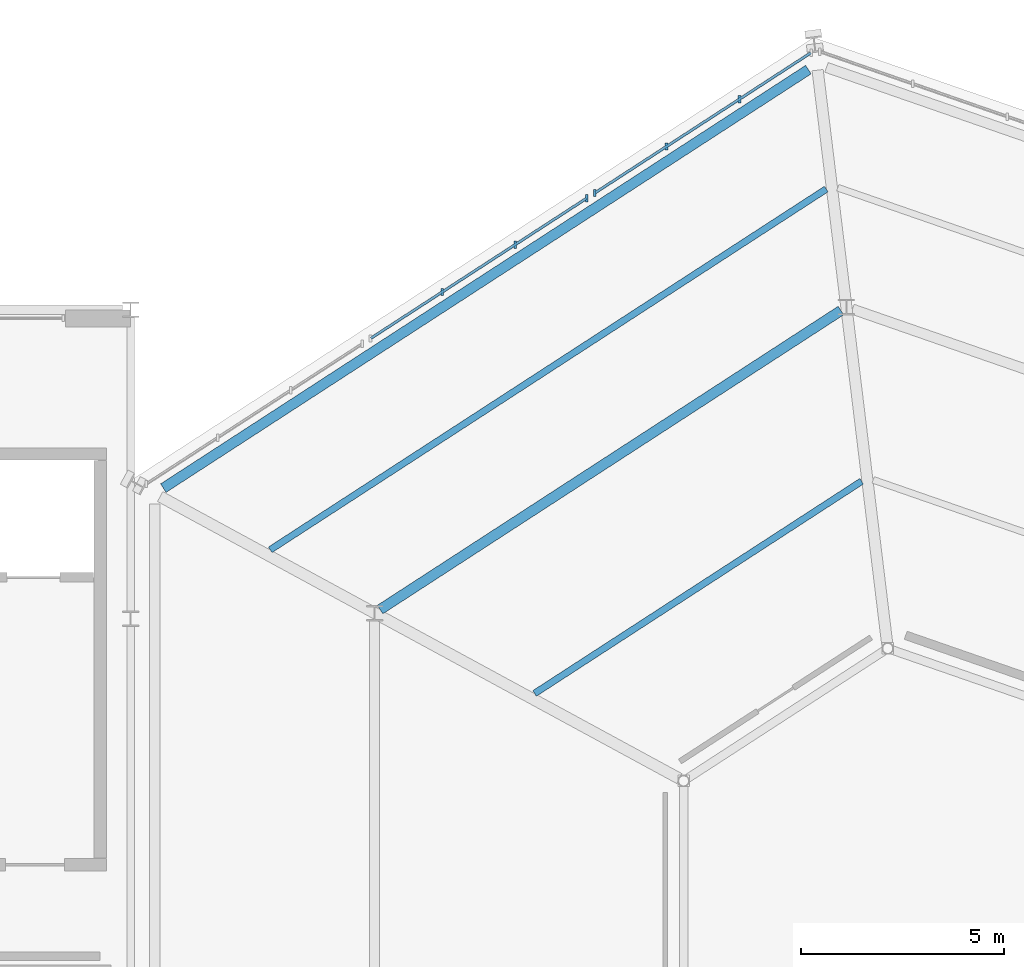
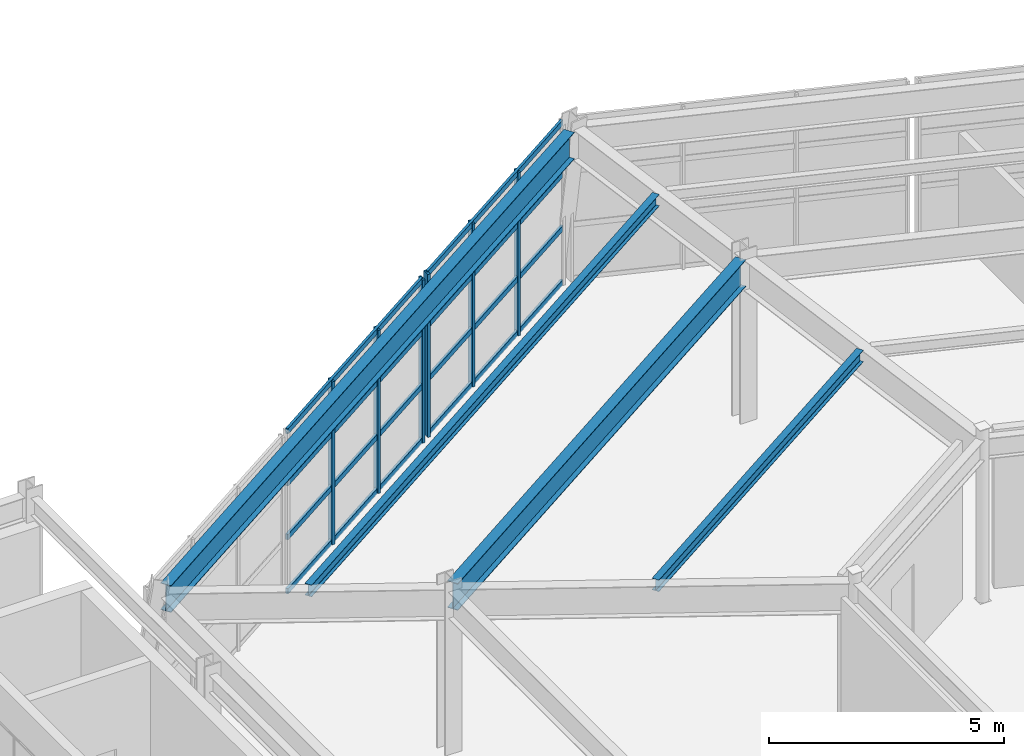
# One storey, part 39 of 77: 14 members, 4 beams, 2 elements without a shape of their own.
"""IFC4 building model written with IfcOpenShell, lengths in metres."""

from ifc_helpers import new_model, si_unit, direction, frame, origin, origin_2d, place, context, subcontext, project, spatial, rectangle, i_section, extrude, material, material_profile, profile_set, type_object, element, aggregate, save


model = new_model("IFC4")

# Units and contexts
model_context = context("Model", 3, precision=1e-05, world=origin(), true_north=direction((0.0, 1.0)))
body_context = subcontext(model_context, "Body", "Model", "MODEL_VIEW")
ifc_project = project(units=[si_unit("LENGTHUNIT", "METRE"), si_unit("AREAUNIT", "SQUARE_METRE"), si_unit("VOLUMEUNIT", "CUBIC_METRE"), si_unit("PLANEANGLEUNIT", "RADIAN"), si_unit("MASSUNIT", "GRAM", prefix="KILO")], contexts=[model_context])

# Site, building, storey
site_placement = place(None, origin())
site = spatial("IfcSite", under=ifc_project, at=site_placement, CompositionType="ELEMENT")
building_placement = place(site_placement, origin())
building = spatial("IfcBuilding", under=site, at=building_placement, Name="Sarnbrook Museum", CompositionType="ELEMENT")
storey_placement = place(building_placement, frame((0.0, 0.0, 5.60009765625)))
storey = spatial("IfcBuildingStorey", under=building, at=storey_placement, Name="L01", CompositionType="ELEMENT", Elevation=5.60009765625)

# Beams
ifc_material_1 = material(Name="Structural Steel Grade 350L0 (AS/NZS 3678, fy = 340 MPa for 20 < t <= 40 mm)", Category="steel")
ifc_material_profile_1 = material_profile(ifc_material_1, i_section(OverallWidth=0.25, OverallDepth=0.699951171875, WebThickness=0.010009765625, FlangeThickness=0.01611328125, at=origin_2d()), Name="700WB130")
ifc_profile_set_1 = profile_set([ifc_material_profile_1], Name="Structural Steel Grade 350L0 (AS/NZS 3678, fy = 340 MPa for 20 < t <= 40 mm)")
beam_type_1 = type_object("IfcBeamType", Name="BM-WB700", PredefinedType="BEAM", material=ifc_profile_set_1)
beam_1_placement = place(storey_placement, frame((135.86962890625, 114.30908203125, 3.889892578125), z_axis=(-0.838906015454, -0.544276305966, 0.0), x_axis=(0.544276305966, -0.838906015454, 0.0)))
element("IfcBeam", 1, at=beam_1_placement, inside=storey, type_object=beam_type_1, Name="Crystal Hall Perimeter Ring Girder 6 L01", PredefinedType="BEAM", context=body_context, shape_type="SweptSolid", body=[
    extrude(i_section(OverallWidth=0.25, OverallDepth=0.699951171875, WebThickness=0.010009765625, FlangeThickness=0.01611328125, at=origin_2d()), origin(), (0.0, 0.0, 1.0), 18.91455078125),
])
beam_2_placement = place(storey_placement, frame((136.669921875, 108.38232421875, 3.889892578125), z_axis=(-0.838898634594, -0.544287682091, 0.0), x_axis=(0.544287682091, -0.838898634594, 0.0)))
element("IfcBeam", 2, at=beam_2_placement, inside=storey, type_object=beam_type_1, Name="Crystal Hall R1 Ring Girder 6 L01", PredefinedType="BEAM", context=body_context, shape_type="SweptSolid", body=[
    extrude(i_section(OverallWidth=0.25, OverallDepth=0.699951171875, WebThickness=0.010009765625, FlangeThickness=0.01611328125, at=origin_2d()), origin(), (0.0, 0.0, 1.0), 13.5126953125),
])

# Curtain wall, members
ifc_material_2 = material(Name="Thermally Broken Anodised Aluminium 6063-T6", Category="aluminium")
curtain_wall_type = type_object("IfcCurtainWallType", Name="CurtainWall_CrystalFacet", PredefinedType="NOTDEFINED", material=ifc_material_2)
curtain_wall_1_placement = place(storey_placement, origin())
curtain_wall_1 = element("IfcCurtainWall", 3, at=curtain_wall_1_placement, inside=storey, type_object=curtain_wall_type, Name="Crystal Hall Facet Curtain Wall L01-F6.1", PredefinedType="NOTDEFINED")
ifc_material_profile_2 = material_profile(ifc_material_2, rectangle(XDim=0.06494140625, YDim=0.179931640625, at=origin_2d()), Name="ALU MULLION 65x180")
ifc_profile_set_2 = profile_set([ifc_material_profile_2], Name="Thermally Broken Anodised Aluminium 6063-T6")
member_type_1 = type_object("IfcMemberType", Name="CW_Mullion_180x75", PredefinedType="MULLION", material=ifc_profile_set_2)
member_1_placement = place(storey_placement, frame((134.17529296875, 113.58349609375, 0.0), z_axis=(0.0, 0.0, 1.0), x_axis=(1.0, 0.0, 0.0)))
member_1 = element("IfcMember", 4, at=member_1_placement, type_object=member_type_1, Name="Crystal Hall Facet Curtain Wall L01-F6.1 Mullion 2", PredefinedType="MULLION", context=body_context, shape_type="SweptSolid", body=[
    extrude(rectangle(XDim=0.06494140625, YDim=0.179931640625, at=origin_2d()), origin(), (0.0, 0.0, 1.0), 4.239990234375),
])
member_2_placement = place(storey_placement, frame((132.380126953125, 112.418701171875, 0.0), z_axis=(0.0, 0.0, 1.0), x_axis=(1.0, 0.0, 0.0)))
member_2 = element("IfcMember", 5, at=member_2_placement, type_object=member_type_1, Name="Crystal Hall Facet Curtain Wall L01-F6.1 Mullion 3", PredefinedType="MULLION", context=body_context, shape_type="SweptSolid", body=[
    extrude(rectangle(XDim=0.06494140625, YDim=0.179931640625, at=origin_2d()), origin(), (0.0, 0.0, 1.0), 4.239990234375),
])
member_3_placement = place(storey_placement, frame((130.61865234375, 111.27587890625, 0.0), z_axis=(0.0, 0.0, 1.0), x_axis=(1.0, 0.0, 0.0)))
member_3 = element("IfcMember", 6, at=member_3_placement, type_object=member_type_1, Name="Crystal Hall Facet Curtain Wall L01-F6.1 Mullion 4", PredefinedType="MULLION", context=body_context, shape_type="SweptSolid", body=[
    extrude(rectangle(XDim=0.06494140625, YDim=0.179931640625, at=origin_2d()), origin(), (0.0, 0.0, 1.0), 4.239990234375),
])

curtain_wall_2_placement = place(storey_placement, origin())
curtain_wall_2 = element("IfcCurtainWall", 7, at=curtain_wall_2_placement, inside=storey, type_object=curtain_wall_type, Name="Crystal Hall Facet Curtain Wall L01-F6.2", PredefinedType="NOTDEFINED")
member_4_placement = place(storey_placement, frame((130.417236328125, 111.145263671875, 0.0), z_axis=(0.0, 0.0, 1.0), x_axis=(1.0, 0.0, 0.0)))
member_4 = element("IfcMember", 8, at=member_4_placement, type_object=member_type_1, Name="Crystal Hall Facet Curtain Wall L01-F6.2 Mullion 1", PredefinedType="MULLION", context=body_context, shape_type="SweptSolid", body=[
    extrude(rectangle(XDim=0.06494140625, YDim=0.179931640625, at=origin_2d()), origin(), (0.0, 0.0, 1.0), 4.239990234375),
])
member_5_placement = place(storey_placement, frame((128.65576171875, 110.002197265625, 0.0), z_axis=(0.0, 0.0, 1.0), x_axis=(1.0, 0.0, 0.0)))
member_5 = element("IfcMember", 9, at=member_5_placement, type_object=member_type_1, Name="Crystal Hall Facet Curtain Wall L01-F6.2 Mullion 2", PredefinedType="MULLION", context=body_context, shape_type="SweptSolid", body=[
    extrude(rectangle(XDim=0.06494140625, YDim=0.179931640625, at=origin_2d()), origin(), (0.0, 0.0, 1.0), 4.239990234375),
])
member_6_placement = place(storey_placement, frame((126.860595703125, 108.837646484375, 0.0), z_axis=(0.0, 0.0, 1.0), x_axis=(1.0, 0.0, 0.0)))
member_6 = element("IfcMember", 10, at=member_6_placement, type_object=member_type_1, Name="Crystal Hall Facet Curtain Wall L01-F6.2 Mullion 3", PredefinedType="MULLION", context=body_context, shape_type="SweptSolid", body=[
    extrude(rectangle(XDim=0.06494140625, YDim=0.179931640625, at=origin_2d()), origin(), (0.0, 0.0, 1.0), 4.239990234375),
])

# Member
ifc_material_profile_3 = material_profile(ifc_material_2, rectangle(XDim=0.06494140625, YDim=0.139892578125, at=origin_2d()), Name="ALU TRANSOM 65x140")
ifc_profile_set_3 = profile_set([ifc_material_profile_3], Name="Thermally Broken Anodised Aluminium 6063-T6")
member_type_2 = type_object("IfcMemberType", Name="CW_Transom_150x65", PredefinedType="USERDEFINED", material=ifc_profile_set_3)
member_7_placement = place(storey_placement, frame((135.92822265625, 114.720703125, 0.039794921875), z_axis=(-0.838904075895, -0.544279295441, 0.0), x_axis=(0.544279295441, -0.838904075895, 0.0)))
member_7 = element("IfcMember", 11, at=member_7_placement, type_object=member_type_2, Name="Crystal Hall Facet Curtain Wall L01-F6.1 Transom 1", ObjectType="TRANSOM", PredefinedType="USERDEFINED", context=body_context, shape_type="SweptSolid", body=[
    extrude(rectangle(XDim=0.06494140625, YDim=0.139892578125, at=origin_2d()), origin(), (0.0, 0.0, 1.0), 6.3193359375),
])

member_8_placement = place(storey_placement, frame((135.92822265625, 114.720703125, 1.449951171875), z_axis=(-0.838904075895, -0.544279295441, 0.0), x_axis=(0.544279295441, -0.838904075895, 0.0)))
member_8 = element("IfcMember", 12, at=member_8_placement, type_object=member_type_2, Name="Crystal Hall Facet Curtain Wall L01-F6.1 Transom 2", ObjectType="TRANSOM", PredefinedType="USERDEFINED", context=body_context, shape_type="SweptSolid", body=[
    extrude(rectangle(XDim=0.06494140625, YDim=0.139892578125, at=origin_2d()), origin(), (0.0, 0.0, 1.0), 6.3193359375),
])

member_9_placement = place(storey_placement, frame((135.92822265625, 114.720703125, 2.849853515625), z_axis=(-0.838904075895, -0.544279295441, 0.0), x_axis=(0.544279295441, -0.838904075895, 0.0)))
member_9 = element("IfcMember", 13, at=member_9_placement, type_object=member_type_2, Name="Crystal Hall Facet Curtain Wall L01-F6.1 Transom 3", ObjectType="TRANSOM", PredefinedType="USERDEFINED", context=body_context, shape_type="SweptSolid", body=[
    extrude(rectangle(XDim=0.06494140625, YDim=0.139892578125, at=origin_2d()), origin(), (0.0, 0.0, 1.0), 6.3193359375),
])

member_10_placement = place(storey_placement, frame((135.92822265625, 114.720703125, 4.199951171875), z_axis=(-0.838904075895, -0.544279295441, 0.0), x_axis=(0.544279295441, -0.838904075895, 0.0)))
member_10 = element("IfcMember", 14, at=member_10_placement, type_object=member_type_2, Name="Crystal Hall Facet Curtain Wall L01-F6.1 Transom 4", ObjectType="TRANSOM", PredefinedType="USERDEFINED", context=body_context, shape_type="SweptSolid", body=[
    extrude(rectangle(XDim=0.06494140625, YDim=0.139892578125, at=origin_2d()), origin(), (0.0, 0.0, 1.0), 6.3193359375),
])

aggregate(curtain_wall_1, [member_1, member_2, member_3, member_7, member_8, member_9, member_10])

member_11_placement = place(storey_placement, frame((130.408935546875, 111.139892578125, 0.039794921875), z_axis=(-0.8388864355, -0.544306483825, 0.0), x_axis=(0.544306483825, -0.8388864355, 0.0)))
member_11 = element("IfcMember", 15, at=member_11_placement, type_object=member_type_2, Name="Crystal Hall Facet Curtain Wall L01-F6.2 Transom 1", ObjectType="TRANSOM", PredefinedType="USERDEFINED", context=body_context, shape_type="SweptSolid", body=[
    extrude(rectangle(XDim=0.06494140625, YDim=0.139892578125, at=origin_2d()), origin(), (0.0, 0.0, 1.0), 6.3193359375),
])

member_12_placement = place(storey_placement, frame((130.408935546875, 111.139892578125, 1.449951171875), z_axis=(-0.8388864355, -0.544306483825, 0.0), x_axis=(0.544306483825, -0.8388864355, 0.0)))
member_12 = element("IfcMember", 16, at=member_12_placement, type_object=member_type_2, Name="Crystal Hall Facet Curtain Wall L01-F6.2 Transom 2", ObjectType="TRANSOM", PredefinedType="USERDEFINED", context=body_context, shape_type="SweptSolid", body=[
    extrude(rectangle(XDim=0.06494140625, YDim=0.139892578125, at=origin_2d()), origin(), (0.0, 0.0, 1.0), 6.3193359375),
])

member_13_placement = place(storey_placement, frame((130.408935546875, 111.139892578125, 2.849853515625), z_axis=(-0.8388864355, -0.544306483825, 0.0), x_axis=(0.544306483825, -0.8388864355, 0.0)))
member_13 = element("IfcMember", 17, at=member_13_placement, type_object=member_type_2, Name="Crystal Hall Facet Curtain Wall L01-F6.2 Transom 3", ObjectType="TRANSOM", PredefinedType="USERDEFINED", context=body_context, shape_type="SweptSolid", body=[
    extrude(rectangle(XDim=0.06494140625, YDim=0.139892578125, at=origin_2d()), origin(), (0.0, 0.0, 1.0), 6.3193359375),
])

member_14_placement = place(storey_placement, frame((130.408935546875, 111.139892578125, 4.199951171875), z_axis=(-0.8388864355, -0.544306483825, 0.0), x_axis=(0.544306483825, -0.8388864355, 0.0)))
member_14 = element("IfcMember", 18, at=member_14_placement, type_object=member_type_2, Name="Crystal Hall Facet Curtain Wall L01-F6.2 Transom 4", ObjectType="TRANSOM", PredefinedType="USERDEFINED", context=body_context, shape_type="SweptSolid", body=[
    extrude(rectangle(XDim=0.06494140625, YDim=0.139892578125, at=origin_2d()), origin(), (0.0, 0.0, 1.0), 6.3193359375),
])

aggregate(curtain_wall_2, [member_4, member_5, member_6, member_11, member_12, member_13, member_14])

# Beams
ifc_material_3 = material(Name="Structural Steel Grade 300PLUS (AS/NZS 3679.1, fy = 280 MPa for 17 < t <= 40 mm, 300 MPa for t <= 17 mm)", Category="steel")
ifc_material_profile_4 = material_profile(ifc_material_3, i_section(OverallWidth=0.1650390625, OverallDepth=0.303955078125, WebThickness=0.006103515625, FlangeThickness=0.01025390625, FilletRadius=0.011474609375, at=origin_2d()), Name="310UB40.4")
ifc_profile_set_4 = profile_set([ifc_material_profile_4], Name="Structural Steel Grade 300PLUS (AS/NZS 3679.1, fy = 280 MPa for 17 < t <= 40 mm, 300 MPa for t <= 17 mm)")
beam_type_2 = type_object("IfcBeamType", Name="JS-UB310", PredefinedType="JOIST", material=ifc_profile_set_4)
beam_3_placement = place(storey_placement, frame((136.3076171875, 111.370361328125, 4.087890625), z_axis=(-0.838903817062, -0.544279694384, 0.0), x_axis=(0.544279694384, -0.838903817062, 0.0)))
element("IfcBeam", 19, at=beam_3_placement, inside=storey, type_object=beam_type_2, Name="Crystal Hall Tangential Joist MO-6 L01", PredefinedType="JOIST", context=body_context, shape_type="SweptSolid", body=[
    extrude(i_section(OverallWidth=0.1650390625, OverallDepth=0.303955078125, WebThickness=0.006103515625, FlangeThickness=0.01025390625, FilletRadius=0.011474609375, at=origin_2d()), origin(), (0.0, 0.0, 1.0), 16.3037109375),
])
beam_4_placement = place(storey_placement, frame((137.178955078125, 104.18310546875, 4.087890625), z_axis=(-0.838887141633, -0.54430539553, 0.0), x_axis=(0.54430539553, -0.838887141633, 0.0)))
element("IfcBeam", 20, at=beam_4_placement, inside=storey, type_object=beam_type_2, Name="Crystal Hall Tangential Joist MI-6 L01", PredefinedType="JOIST", context=body_context, shape_type="SweptSolid", body=[
    extrude(i_section(OverallWidth=0.1650390625, OverallDepth=0.303955078125, WebThickness=0.006103515625, FlangeThickness=0.01025390625, FilletRadius=0.011474609375, at=origin_2d()), origin(), (0.0, 0.0, 1.0), 9.589599609375),
])

save(model, "model.ifc")
